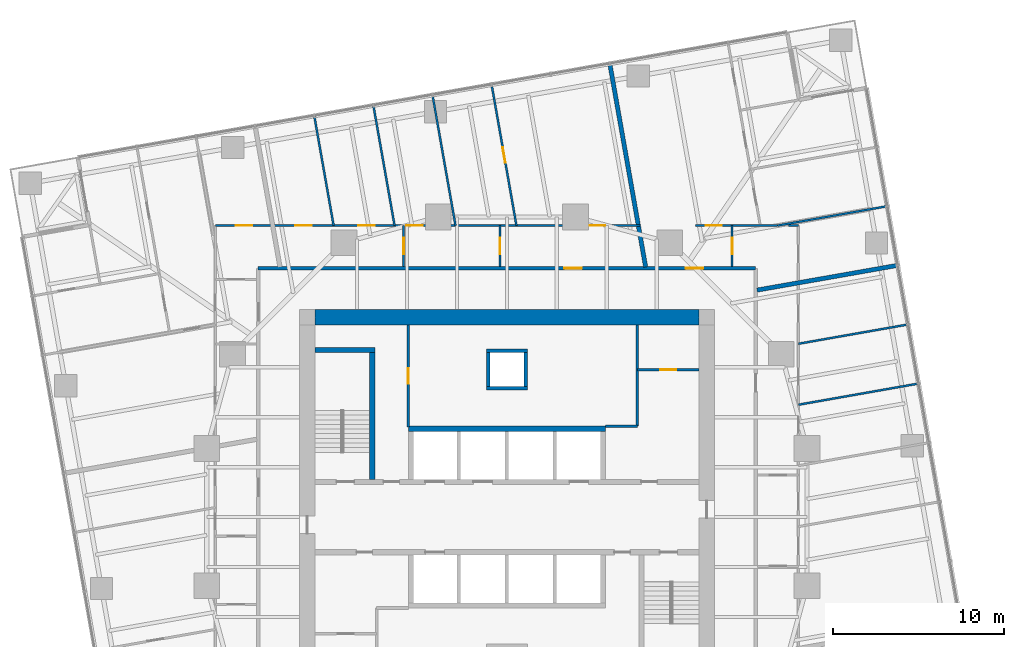
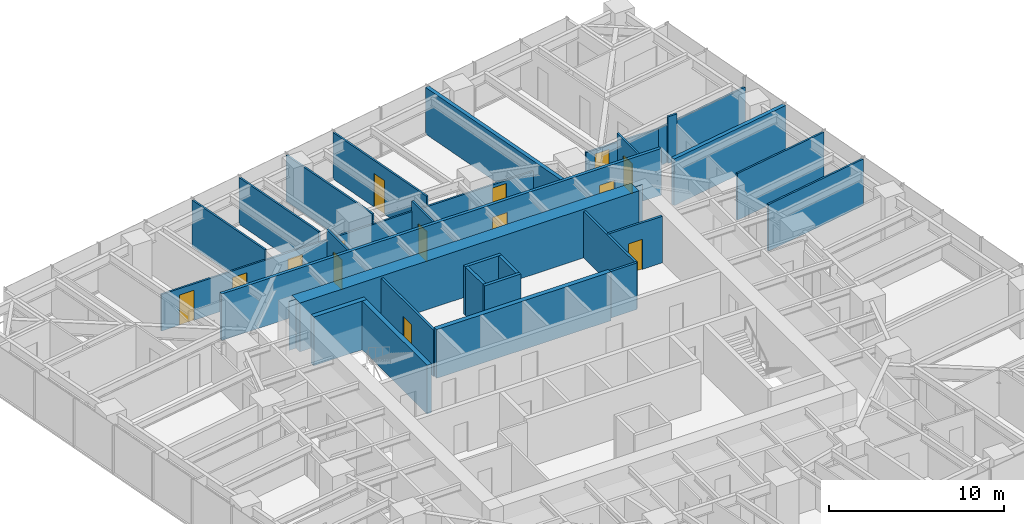
# One storey, part 12 of 14: 28 walls, 14 doors, 14 openings.
"""IFC4 building model written with IfcOpenShell, lengths in metres."""

from ifc_helpers import new_model, si_unit, direction, frame, frame_2d, origin, place, context, subcontext, project, spatial, polyline, rectangle, outline, extrude, material, layer, layer_set, type_object, element, fill, save


model = new_model("IFC4")

# Units and contexts
model_context = context("Model", 3, precision=1e-05, world=origin(), true_north=direction((0.0, 1.0)))
body_context = subcontext(model_context, "Body", "Model", "MODEL_VIEW")
ifc_project = project(units=[si_unit("LENGTHUNIT", "METRE"), si_unit("AREAUNIT", "SQUARE_METRE"), si_unit("VOLUMEUNIT", "CUBIC_METRE"), si_unit("PLANEANGLEUNIT", "RADIAN"), si_unit("MASSUNIT", "GRAM", prefix="KILO")], contexts=[model_context])

# Site, building, storey
site_placement = place(None, origin())
site = spatial("IfcSite", under=ifc_project, at=site_placement, CompositionType="ELEMENT")
building_placement = place(site_placement, origin())
building = spatial("IfcBuilding", under=site, at=building_placement, Name="Torsade Residences", CompositionType="ELEMENT")
storey_placement = place(building_placement, frame((0.0, 0.0, 86.199951171875)))
storey = spatial("IfcBuildingStorey", under=building, at=storey_placement, Name="L23", CompositionType="ELEMENT", Elevation=86.199951171875)

# Walls
ifc_material_1 = material(Name="Concrete 80 MPa", Category="concrete")
ifc_layer_1 = layer(ifc_material_1, 0.300048828125)
ifc_layer_set_1 = layer_set([ifc_layer_1], Name="Concrete 80 MPa")
wall_type_1 = type_object("IfcWallType", Name="CORE INTERNAL WALL 300", PredefinedType="SHEAR", material=ifc_layer_set_1)
wall_1_placement = place(storey_placement, frame((34.25, 35.14990234375, 0.0), z_axis=(0.0, 0.0, 1.0), x_axis=(1.0, 0.0, 0.0)))
element("IfcWall", 1, at=wall_1_placement, inside=storey, type_object=wall_type_1, Name="Core wall BN L23", PredefinedType="SHEAR", context=body_context, shape_type="SweptSolid", body=[
    extrude(rectangle(XDim=11.5, YDim=0.300048828125, at=frame_2d((5.75, 0.0))), origin(), (0.0, 0.0, 1.0), 3.400146484375),
])
wall_2_placement = place(storey_placement, frame((32.14990234375, 32.199951171875, 0.0), z_axis=(0.0, 0.0, 1.0), x_axis=(0.0, 1.0, 0.0)))
element("IfcWall", 2, at=wall_2_placement, inside=storey, type_object=wall_type_1, Name="Core wall ST1E L23", PredefinedType="SHEAR", context=body_context, shape_type="SweptSolid", body=[
    extrude(rectangle(XDim=7.699951171875, YDim=0.300048828125, at=frame_2d((3.85009765625, 0.0))), origin(), (0.0, 0.0, 1.0), 3.400146484375),
])
wall_3_placement = place(storey_placement, frame((28.800048828125, 39.75, 0.0), z_axis=(0.0, 0.0, 1.0), x_axis=(1.0, 0.0, 0.0)))
element("IfcWall", 3, at=wall_3_placement, inside=storey, type_object=wall_type_1, Name="Core wall ST1N L23", PredefinedType="SHEAR", context=body_context, shape_type="SweptSolid", body=[
    extrude(rectangle(XDim=3.5, YDim=0.300048828125, at=frame_2d((1.75, 0.0))), origin(), (0.0, 0.0, 1.0), 3.400146484375),
])
ifc_material_2 = material(Name="Concrete 80 MPa", Category="concrete")
ifc_layer_2 = layer(ifc_material_2, 0.89990234375)
ifc_layer_set_2 = layer_set([ifc_layer_2], Name="Concrete 80 MPa")
wall_type_2 = type_object("IfcWallType", Name="CORE WALL 900", PredefinedType="SHEAR", material=ifc_layer_set_2)
wall_4_placement = place(storey_placement, frame((28.800048828125, 41.64990234375, 0.0), z_axis=(0.0, 0.0, 1.0), x_axis=(1.0, 0.0, 0.0)))
element("IfcWall", 4, at=wall_4_placement, inside=storey, type_object=wall_type_2, Name="Core wall N L23", PredefinedType="SHEAR", context=body_context, shape_type="SweptSolid", body=[
    extrude(outline(polyline([(0.0, -0.449951171875), (22.39990234375, -0.449951171875), (22.39990234375, -0.02490234375), (22.849853515625, -0.02490234375), (22.849853515625, 0.02490234375), (22.39990234375, 0.02490234375), (22.39990234375, 0.449951171875), (0.0, 0.449951171875), (0.0, 0.02490234375), (-0.449951171875, 0.02490234375), (-0.449951171875, -0.02490234375), (0.0, -0.02490234375), (0.0, -0.449951171875)])), origin(), (0.0, 0.0, 1.0), 3.400146484375),
])

# Wall, openings, doors
ifc_material_3 = material(Name="Plasterboard on steel stud", Category="steel")
ifc_layer_3 = layer(ifc_material_3, 0.199951171875)
ifc_layer_set_3 = layer_set([ifc_layer_3], Name="Plasterboard on steel stud")
wall_type_3 = type_object("IfcWallType", Name="CORRIDOR WALL 200", PredefinedType="PARTITIONING", material=ifc_layer_set_3)
wall_5_placement = place(storey_placement, frame((54.5, 44.5, 0.0), z_axis=(0.0, 0.0, 1.0), x_axis=(-1.0, 0.0, 0.0)))
wall_5 = element("IfcWall", 5, at=wall_5_placement, inside=storey, type_object=wall_type_3, Name="Corridor wall L23", PredefinedType="PARTITIONING", context=body_context, shape_type="SweptSolid", body=[
    extrude(rectangle(XDim=29.0, YDim=0.199951171875, at=frame_2d((14.5, 0.0))), origin(), (0.0, 0.0, 1.0), 3.25),
])
opening_1_placement = place(wall_5_placement, frame((10.128662109375, 0.0, 0.0)))
opening_1 = element("IfcOpeningElement", 6, at=opening_1_placement, cuts=wall_5, Name="Opening D01", PredefinedType="OPENING", context=body_context, shape_type="SweptSolid", body=[
    extrude(rectangle(XDim=1.02001953125, YDim=2.340087890625, at=frame_2d((0.510009765625, 1.169921875))), frame((0.0, 0.10986328125, 0.0), z_axis=(0.0, -1.0, 0.0), x_axis=(1.0, 0.0, 0.0)), (0.0, 0.0, 1.0), 0.219970703125),
])
opening_2_placement = place(wall_5_placement, frame((3.0654296875, 0.0, 0.0)))
opening_2 = element("IfcOpeningElement", 7, at=opening_2_placement, cuts=wall_5, Name="Opening D01L", PredefinedType="OPENING", context=body_context, shape_type="SweptSolid", body=[
    extrude(rectangle(XDim=1.02001953125, YDim=2.10009765625, at=frame_2d((0.510009765625, 1.050048828125))), frame((0.0, 0.10986328125, 0.0), z_axis=(0.0, -1.0, 0.0), x_axis=(1.0, 0.0, 0.0)), (0.0, 0.0, 1.0), 0.219970703125),
])
ifc_material_4 = material(Name="Solid-core timber fire door", Category="wood")
door_type_1 = type_object("IfcDoorType", Name="APARTMENT ENTRY DOOR 1020x2100", OperationType="NOTDEFINED", PredefinedType="DOOR", material=ifc_material_4)
door_1_placement = place(opening_2_placement, origin())
door_1 = element("IfcDoor", 8, at=door_1_placement, inside=storey, type_object=door_type_1, Name="Door Residential corridor to Kitchen and dining", OperationType="SINGLE_SWING_LEFT", OverallHeight=2.10009765625, OverallWidth=1.02001953125, PredefinedType="DOOR", context=body_context, shape_type="SweptSolid", body=[
    extrude(rectangle(XDim=1.02001953125, YDim=2.10009765625, at=frame_2d((0.510009765625, 1.050048828125))), frame((0.0, 0.02490234375, 0.0), z_axis=(0.0, -1.0, 0.0), x_axis=(1.0, 0.0, 0.0)), (0.0, 0.0, 1.0), 0.050048828125),
])
fill(opening_2, door_1)
ifc_material_5 = material(Name="Solid-core timber fire door", Category="wood")
door_type_2 = type_object("IfcDoorType", Name="APARTMENT ENTRY DOOR 1020x2340", OperationType="NOTDEFINED", PredefinedType="DOOR", material=ifc_material_5)
door_2_placement = place(opening_1_placement, origin())
door_2 = element("IfcDoor", 9, at=door_2_placement, inside=storey, type_object=door_type_2, Name="Door Residential corridor to Kitchen and dining", OperationType="SINGLE_SWING_RIGHT", OverallHeight=2.340087890625, OverallWidth=1.02001953125, PredefinedType="DOOR", context=body_context, shape_type="SweptSolid", body=[
    extrude(rectangle(XDim=1.02001953125, YDim=2.340087890625, at=frame_2d((0.510009765625, 1.169921875))), frame((0.0, 0.02490234375, 0.0), z_axis=(0.0, -1.0, 0.0), x_axis=(1.0, 0.0, 0.0)), (0.0, 0.0, 1.0), 0.050048828125),
])
fill(opening_1, door_2)

# Walls
ifc_material_6 = material(Name="Plasterboard on steel stud", Category="steel")
ifc_layer_4 = layer(ifc_material_6, 0.1201171875)
ifc_layer_set_4 = layer_set([ifc_layer_4], Name="Plasterboard on steel stud")
wall_type_4 = type_object("IfcWallType", Name="PARTITION 120", PredefinedType="PARTITIONING", material=ifc_layer_set_4)
wall_6_placement = place(storey_placement, frame((57.0, 36.551513671875, 0.0), z_axis=(0.0, 0.0, 1.0), x_axis=(0.984809234282, 0.173639776761, 0.0)))
element("IfcWall", 10, at=wall_6_placement, inside=storey, type_object=wall_type_4, Name="Partition L23", PredefinedType="PARTITIONING", context=body_context, shape_type="SweptSolid", body=[
    extrude(rectangle(XDim=7.080810546875, YDim=0.1201171875, at=frame_2d((3.54052734375, 0.0))), origin(), (0.0, 0.0, 1.0), 3.25),
])
wall_7_placement = place(storey_placement, frame((57.0, 40.10546875, 0.0), z_axis=(0.0, 0.0, 1.0), x_axis=(0.984809025774, 0.173640959323, 0.0)))
element("IfcWall", 11, at=wall_7_placement, inside=storey, type_object=wall_type_4, Name="Partition L23", PredefinedType="PARTITIONING", context=body_context, shape_type="SweptSolid", body=[
    extrude(rectangle(XDim=6.46337890625, YDim=0.1201171875, at=frame_2d((3.231689453125, 0.0))), origin(), (0.0, 0.0, 1.0), 3.25),
])

# Wall, opening, door
wall_8_placement = place(storey_placement, frame((53.13037109375, 47.0, 0.0), z_axis=(0.0, 0.0, 1.0), x_axis=(0.0, -1.0, 0.0)))
wall_8 = element("IfcWall", 12, at=wall_8_placement, inside=storey, type_object=wall_type_4, Name="Partition L23", PredefinedType="PARTITIONING", context=body_context, shape_type="SweptSolid", body=[
    extrude(rectangle(XDim=2.39990234375, YDim=0.1201171875, at=frame_2d((1.199951171875, 0.0))), origin(), (0.0, 0.0, 1.0), 3.25),
])
opening_3_placement = place(wall_8_placement, frame((0.719970703125, 0.0, 0.0)))
opening_3 = element("IfcOpeningElement", 13, at=opening_3_placement, cuts=wall_8, Name="Opening D05", PredefinedType="OPENING", context=body_context, shape_type="SweptSolid", body=[
    extrude(rectangle(XDim=0.9599609375, YDim=2.10009765625, at=frame_2d((0.47998046875, 1.050048828125))), frame((0.0, 0.070068359375, 0.0), z_axis=(0.0, -1.0, 0.0), x_axis=(1.0, 0.0, 0.0)), (0.0, 0.0, 1.0), 0.14013671875),
])
ifc_material_7 = material(Name="Hollow-core timber door in a steel cavity frame", Category="steel")
door_type_3 = type_object("IfcDoorType", Name="BATHROOM CAVITY SLIDING DOOR 960", OperationType="SLIDING_TO_LEFT", PredefinedType="DOOR", material=ifc_material_7)
door_3_placement = place(opening_3_placement, origin())
door_3 = element("IfcDoor", 14, at=door_3_placement, inside=storey, type_object=door_type_3, Name="Door Kitchen and dining to Bathroom", OperationType="SLIDING_TO_LEFT", OverallHeight=2.10009765625, OverallWidth=0.9599609375, PredefinedType="DOOR", context=body_context, shape_type="SweptSolid", body=[
    extrude(rectangle(XDim=0.9599609375, YDim=2.10009765625, at=frame_2d((0.47998046875, 1.050048828125))), frame((0.0, 0.02490234375, 0.0), z_axis=(0.0, -1.0, 0.0), x_axis=(1.0, 0.0, 0.0)), (0.0, 0.0, 1.0), 0.050048828125),
])
fill(opening_3, door_3)

# Wall, openings, doors
wall_9_placement = place(storey_placement, frame((23.0, 47.0, 0.0), z_axis=(0.0, 0.0, 1.0), x_axis=(1.0, 0.0, 0.0)))
wall_9 = element("IfcWall", 15, at=wall_9_placement, inside=storey, type_object=wall_type_4, Name="Partition L23", PredefinedType="PARTITIONING", context=body_context, shape_type="SweptSolid", body=[
    extrude(rectangle(XDim=24.771240234375, YDim=0.1201171875, at=frame_2d((12.3857421875, 0.0))), origin(), (0.0, 0.0, 1.0), 2.550048828125),
])
opening_4_placement = place(wall_9_placement, frame((21.824951171875, 0.0, 0.0)))
opening_4 = element("IfcOpeningElement", 16, at=opening_4_placement, cuts=wall_9, Name="Opening D02", PredefinedType="OPENING", context=body_context, shape_type="SweptSolid", body=[
    extrude(rectangle(XDim=0.919921875, YDim=2.340087890625, at=frame_2d((0.4599609375, 1.169921875))), frame((0.0, 0.070068359375, 0.0), z_axis=(0.0, -1.0, 0.0), x_axis=(1.0, 0.0, 0.0)), (0.0, 0.0, 1.0), 0.14013671875),
])
opening_5_placement = place(wall_9_placement, frame((11.135009765625, 0.0, 0.0)))
opening_5 = element("IfcOpeningElement", 17, at=opening_5_placement, cuts=wall_9, Name="Opening D05", PredefinedType="OPENING", context=body_context, shape_type="SweptSolid", body=[
    extrude(rectangle(XDim=0.9599609375, YDim=2.10009765625, at=frame_2d((0.47998046875, 1.050048828125))), frame((0.0, 0.070068359375, 0.0), z_axis=(0.0, -1.0, 0.0), x_axis=(1.0, 0.0, 0.0)), (0.0, 0.0, 1.0), 0.14013671875),
])
opening_6_placement = place(wall_9_placement, frame((1.190185546875, 0.0, 0.0)))
opening_6 = element("IfcOpeningElement", 18, at=opening_6_placement, cuts=wall_9, Name="Opening D05", PredefinedType="OPENING", context=body_context, shape_type="SweptSolid", body=[
    extrude(rectangle(XDim=0.9599609375, YDim=2.10009765625, at=frame_2d((0.47998046875, 1.050048828125))), frame((0.0, 0.070068359375, 0.0), z_axis=(0.0, -1.0, 0.0), x_axis=(1.0, 0.0, 0.0)), (0.0, 0.0, 1.0), 0.14013671875),
])
opening_7_placement = place(wall_9_placement, frame((8.341552734375, 0.0, 0.0)))
opening_7 = element("IfcOpeningElement", 19, at=opening_7_placement, cuts=wall_9, Name="Opening D05", PredefinedType="OPENING", context=body_context, shape_type="SweptSolid", body=[
    extrude(rectangle(XDim=0.9599609375, YDim=2.10009765625, at=frame_2d((0.47998046875, 1.050048828125))), frame((0.0, 0.070068359375, 0.0), z_axis=(0.0, -1.0, 0.0), x_axis=(1.0, 0.0, 0.0)), (0.0, 0.0, 1.0), 0.14013671875),
])
opening_8_placement = place(wall_9_placement, frame((4.662841796875, 0.0, 0.0)))
opening_8 = element("IfcOpeningElement", 20, at=opening_8_placement, cuts=wall_9, Name="Opening D05", PredefinedType="OPENING", context=body_context, shape_type="SweptSolid", body=[
    extrude(rectangle(XDim=0.9599609375, YDim=2.10009765625, at=frame_2d((0.47998046875, 1.050048828125))), frame((0.0, 0.070068359375, 0.0), z_axis=(0.0, -1.0, 0.0), x_axis=(1.0, 0.0, 0.0)), (0.0, 0.0, 1.0), 0.14013671875),
])
door_4_placement = place(opening_5_placement, origin())
door_4 = element("IfcDoor", 21, at=door_4_placement, inside=storey, type_object=door_type_3, Name="Door Ensuite to Bedroom 2", OperationType="SLIDING_TO_LEFT", OverallHeight=2.10009765625, OverallWidth=0.9599609375, PredefinedType="DOOR", context=body_context, shape_type="SweptSolid", body=[
    extrude(rectangle(XDim=0.9599609375, YDim=2.10009765625, at=frame_2d((0.47998046875, 1.050048828125))), frame((0.0, 0.02490234375, 0.0), z_axis=(0.0, -1.0, 0.0), x_axis=(1.0, 0.0, 0.0)), (0.0, 0.0, 1.0), 0.050048828125),
])
fill(opening_5, door_4)
door_5_placement = place(opening_6_placement, origin())
door_5 = element("IfcDoor", 22, at=door_5_placement, inside=storey, type_object=door_type_3, Name="Door WC to Family room", OperationType="SLIDING_TO_LEFT", OverallHeight=2.10009765625, OverallWidth=0.9599609375, PredefinedType="DOOR", context=body_context, shape_type="SweptSolid", body=[
    extrude(rectangle(XDim=0.9599609375, YDim=2.10009765625, at=frame_2d((0.47998046875, 1.050048828125))), frame((0.0, 0.02490234375, 0.0), z_axis=(0.0, -1.0, 0.0), x_axis=(1.0, 0.0, 0.0)), (0.0, 0.0, 1.0), 0.050048828125),
])
fill(opening_6, door_5)
door_6_placement = place(opening_7_placement, origin())
door_6 = element("IfcDoor", 23, at=door_6_placement, inside=storey, type_object=door_type_3, Name="Door Bathroom to Study", OperationType="SLIDING_TO_LEFT", OverallHeight=2.10009765625, OverallWidth=0.9599609375, PredefinedType="DOOR", context=body_context, shape_type="SweptSolid", body=[
    extrude(rectangle(XDim=0.9599609375, YDim=2.10009765625, at=frame_2d((0.47998046875, 1.050048828125))), frame((0.0, 0.02490234375, 0.0), z_axis=(0.0, -1.0, 0.0), x_axis=(1.0, 0.0, 0.0)), (0.0, 0.0, 1.0), 0.050048828125),
])
fill(opening_7, door_6)
door_7_placement = place(opening_8_placement, origin())
door_7 = element("IfcDoor", 24, at=door_7_placement, inside=storey, type_object=door_type_3, Name="Door Bathroom to Family room", OperationType="SLIDING_TO_LEFT", OverallHeight=2.10009765625, OverallWidth=0.9599609375, PredefinedType="DOOR", context=body_context, shape_type="SweptSolid", body=[
    extrude(rectangle(XDim=0.9599609375, YDim=2.10009765625, at=frame_2d((0.47998046875, 1.050048828125))), frame((0.0, 0.02490234375, 0.0), z_axis=(0.0, -1.0, 0.0), x_axis=(1.0, 0.0, 0.0)), (0.0, 0.0, 1.0), 0.050048828125),
])
fill(opening_8, door_7)
ifc_material_8 = material(Name="Hollow-core timber door", Category="wood")
door_type_4 = type_object("IfcDoorType", Name="INTERNAL DOOR 920x2340", OperationType="NOTDEFINED", PredefinedType="DOOR", material=ifc_material_8)
door_8_placement = place(opening_4_placement, origin())
door_8 = element("IfcDoor", 25, at=door_8_placement, inside=storey, type_object=door_type_4, Name="Door Kitchen and dining to Living room", OperationType="SINGLE_SWING_LEFT", OverallHeight=2.340087890625, OverallWidth=0.919921875, PredefinedType="DOOR", context=body_context, shape_type="SweptSolid", body=[
    extrude(rectangle(XDim=0.919921875, YDim=2.340087890625, at=frame_2d((0.4599609375, 1.169921875))), frame((0.0, 0.02490234375, 0.0), z_axis=(0.0, -1.0, 0.0), x_axis=(1.0, 0.0, 0.0)), (0.0, 0.0, 1.0), 0.050048828125),
])
fill(opening_4, door_8)

# Wall, opening, door
wall_10_placement = place(storey_placement, frame((51.0, 47.0, 0.0), z_axis=(0.0, 0.0, 1.0), x_axis=(1.0, 0.0, 0.0)))
wall_10 = element("IfcWall", 26, at=wall_10_placement, inside=storey, type_object=wall_type_4, Name="Partition L23", PredefinedType="PARTITIONING", context=body_context, shape_type="SweptSolid", body=[
    extrude(rectangle(XDim=4.7890625, YDim=0.1201171875, at=frame_2d((2.39453125, 0.0))), origin(), (0.0, 0.0, 1.0), 2.637939453125),
])
opening_9_placement = place(wall_10_placement, frame((0.605224609375, 0.0, 0.0)))
opening_9 = element("IfcOpeningElement", 27, at=opening_9_placement, cuts=wall_10, Name="Opening D02", PredefinedType="OPENING", context=body_context, shape_type="SweptSolid", body=[
    extrude(rectangle(XDim=0.919921875, YDim=2.340087890625, at=frame_2d((0.4599609375, 1.169921875))), frame((0.0, 0.070068359375, 0.0), z_axis=(0.0, -1.0, 0.0), x_axis=(1.0, 0.0, 0.0)), (0.0, 0.0, 1.0), 0.14013671875),
])
door_9_placement = place(opening_9_placement, origin())
door_9 = element("IfcDoor", 28, at=door_9_placement, inside=storey, type_object=door_type_4, Name="Door Kitchen and dining to Living room", OperationType="SINGLE_SWING_RIGHT", OverallHeight=2.340087890625, OverallWidth=0.919921875, PredefinedType="DOOR", context=body_context, shape_type="SweptSolid", body=[
    extrude(rectangle(XDim=0.919921875, YDim=2.340087890625, at=frame_2d((0.4599609375, 1.169921875))), frame((0.0, 0.02490234375, 0.0), z_axis=(0.0, -1.0, 0.0), x_axis=(1.0, 0.0, 0.0)), (0.0, 0.0, 1.0), 0.050048828125),
])
fill(opening_9, door_9)

# Wall
wall_11_placement = place(storey_placement, frame((62.149658203125, 48.12158203125, 0.0), z_axis=(0.0, 0.0, 1.0), x_axis=(-0.984806762864, -0.173653792983, 0.0)))
element("IfcWall", 29, at=wall_11_placement, inside=storey, type_object=wall_type_4, Name="Partition L23", PredefinedType="PARTITIONING", context=body_context, shape_type="SweptSolid", body=[
    extrude(rectangle(XDim=6.458740234375, YDim=0.1201171875, at=frame_2d((3.2294921875, 0.0))), origin(), (0.0, 0.0, 1.0), 2.637939453125),
])

# Wall, opening, door
wall_12_placement = place(storey_placement, frame((39.595703125, 44.60009765625, 0.0), z_axis=(0.0, 0.0, 1.0), x_axis=(0.0, 1.0, 0.0)))
wall_12 = element("IfcWall", 30, at=wall_12_placement, inside=storey, type_object=wall_type_4, Name="Partition L23", PredefinedType="PARTITIONING", context=body_context, shape_type="SweptSolid", body=[
    extrude(rectangle(XDim=2.39990234375, YDim=0.1201171875, at=frame_2d((1.199951171875, 0.0))), origin(), (0.0, 0.0, 1.0), 3.25),
])
opening_10_placement = place(wall_12_placement, frame((0.719970703125, 0.0, 0.0)))
opening_10 = element("IfcOpeningElement", 31, at=opening_10_placement, cuts=wall_12, Name="Opening D05", PredefinedType="OPENING", context=body_context, shape_type="SweptSolid", body=[
    extrude(rectangle(XDim=0.9599609375, YDim=2.10009765625, at=frame_2d((0.47998046875, 1.050048828125))), frame((0.0, 0.070068359375, 0.0), z_axis=(0.0, -1.0, 0.0), x_axis=(1.0, 0.0, 0.0)), (0.0, 0.0, 1.0), 0.14013671875),
])
door_10_placement = place(opening_10_placement, origin())
door_10 = element("IfcDoor", 32, at=door_10_placement, inside=storey, type_object=door_type_3, Name="Door Kitchen and dining to Ensuite", OperationType="SLIDING_TO_LEFT", OverallHeight=2.10009765625, OverallWidth=0.9599609375, PredefinedType="DOOR", context=body_context, shape_type="SweptSolid", body=[
    extrude(rectangle(XDim=0.9599609375, YDim=2.10009765625, at=frame_2d((0.47998046875, 1.050048828125))), frame((0.0, 0.02490234375, 0.0), z_axis=(0.0, -1.0, 0.0), x_axis=(1.0, 0.0, 0.0)), (0.0, 0.0, 1.0), 0.050048828125),
])
fill(opening_10, door_10)

wall_13_placement = place(storey_placement, frame((33.976806640625, 47.0, 0.0), z_axis=(0.0, 0.0, 1.0), x_axis=(0.0, -1.0, 0.0)))
wall_13 = element("IfcWall", 33, at=wall_13_placement, inside=storey, type_object=wall_type_4, Name="Partition L23", PredefinedType="PARTITIONING", context=body_context, shape_type="SweptSolid", body=[
    extrude(rectangle(XDim=2.39990234375, YDim=0.1201171875, at=frame_2d((1.199951171875, 0.0))), origin(), (0.0, 0.0, 1.0), 3.25),
])
opening_11_placement = place(wall_13_placement, frame((0.719970703125, 0.0, 0.0)))
opening_11 = element("IfcOpeningElement", 34, at=opening_11_placement, cuts=wall_13, Name="Opening D05", PredefinedType="OPENING", context=body_context, shape_type="SweptSolid", body=[
    extrude(rectangle(XDim=0.9599609375, YDim=2.10009765625, at=frame_2d((0.47998046875, 1.050048828125))), frame((0.0, 0.070068359375, 0.0), z_axis=(0.0, -1.0, 0.0), x_axis=(1.0, 0.0, 0.0)), (0.0, 0.0, 1.0), 0.14013671875),
])
door_11_placement = place(opening_11_placement, origin())
door_11 = element("IfcDoor", 35, at=door_11_placement, inside=storey, type_object=door_type_3, Name="Door Ensuite to Bathroom", OperationType="SLIDING_TO_LEFT", OverallHeight=2.10009765625, OverallWidth=0.9599609375, PredefinedType="DOOR", context=body_context, shape_type="SweptSolid", body=[
    extrude(rectangle(XDim=0.9599609375, YDim=2.10009765625, at=frame_2d((0.47998046875, 1.050048828125))), frame((0.0, 0.02490234375, 0.0), z_axis=(0.0, -1.0, 0.0), x_axis=(1.0, 0.0, 0.0)), (0.0, 0.0, 1.0), 0.050048828125),
])
fill(opening_11, door_11)

wall_14_placement = place(storey_placement, frame((40.556396484375, 47.0, 0.0), z_axis=(0.0, 0.0, 1.0), x_axis=(-0.173647980238, 0.984807787824, 0.0)))
wall_14 = element("IfcWall", 36, at=wall_14_placement, inside=storey, type_object=wall_type_4, Name="Partition L23", PredefinedType="PARTITIONING", context=body_context, shape_type="SweptSolid", body=[
    extrude(rectangle(XDim=8.314697265625, YDim=0.1201171875, at=frame_2d((4.1572265625, 0.0))), origin(), (0.0, 0.0, 1.0), 3.25),
])
opening_12_placement = place(wall_14_placement, frame((3.717529296875, 0.0, 0.0)))
opening_12 = element("IfcOpeningElement", 37, at=opening_12_placement, cuts=wall_14, Name="Opening D02", PredefinedType="OPENING", context=body_context, shape_type="SweptSolid", body=[
    extrude(rectangle(XDim=0.919921875, YDim=2.340087890625, at=frame_2d((0.4599609375, 1.169921875))), frame((0.0, 0.070068359375, 0.0), z_axis=(0.0, -1.0, 0.0), x_axis=(1.0, 0.0, 0.0)), (0.0, 0.0, 1.0), 0.14013671875),
])
door_12_placement = place(opening_12_placement, origin())
door_12 = element("IfcDoor", 38, at=door_12_placement, inside=storey, type_object=door_type_4, Name="Door Living room to Bedroom 1", OperationType="SINGLE_SWING_RIGHT", OverallHeight=2.340087890625, OverallWidth=0.919921875, PredefinedType="DOOR", context=body_context, shape_type="SweptSolid", body=[
    extrude(rectangle(XDim=0.919921875, YDim=2.340087890625, at=frame_2d((0.4599609375, 1.169921875))), frame((0.0, 0.02490234375, 0.0), z_axis=(0.0, -1.0, 0.0), x_axis=(1.0, 0.0, 0.0)), (0.0, 0.0, 1.0), 0.050048828125),
])
fill(opening_12, door_12)

# Walls
wall_15_placement = place(storey_placement, frame((37.00244140625, 47.0, 0.0), z_axis=(0.0, 0.0, 1.0), x_axis=(-0.173644207293, 0.984808453088, 0.0)))
element("IfcWall", 39, at=wall_15_placement, inside=storey, type_object=wall_type_4, Name="Partition L23", PredefinedType="PARTITIONING", context=body_context, shape_type="SweptSolid", body=[
    extrude(rectangle(XDim=7.69775390625, YDim=0.1201171875, at=frame_2d((3.848876953125, 0.0))), origin(), (0.0, 0.0, 1.0), 3.25),
])
wall_16_placement = place(storey_placement, frame((33.448486328125, 47.0, 0.0), z_axis=(0.0, 0.0, 1.0), x_axis=(-0.173639776761, 0.984809234282, 0.0)))
element("IfcWall", 40, at=wall_16_placement, inside=storey, type_object=wall_type_4, Name="Partition L23", PredefinedType="PARTITIONING", context=body_context, shape_type="SweptSolid", body=[
    extrude(rectangle(XDim=7.080810546875, YDim=0.1201171875, at=frame_2d((3.54052734375, 0.0))), origin(), (0.0, 0.0, 1.0), 3.25),
])
wall_17_placement = place(storey_placement, frame((29.89453125, 47.0, 0.0), z_axis=(0.0, 0.0, 1.0), x_axis=(-0.173640959323, 0.984809025774, 0.0)))
element("IfcWall", 41, at=wall_17_placement, inside=storey, type_object=wall_type_4, Name="Partition L23", PredefinedType="PARTITIONING", context=body_context, shape_type="SweptSolid", body=[
    extrude(rectangle(XDim=6.46337890625, YDim=0.1201171875, at=frame_2d((3.231689453125, 0.0))), origin(), (0.0, 0.0, 1.0), 3.25),
])
wall_18_placement = place(storey_placement, frame((57.0, 47.0, 0.0), z_axis=(0.0, 0.0, 1.0), x_axis=(-1.0, 0.0, 0.0)))
element("IfcWall", 42, at=wall_18_placement, inside=storey, type_object=wall_type_4, Name="Partition L23", PredefinedType="PARTITIONING", context=body_context, shape_type="SweptSolid", body=[
    extrude(rectangle(XDim=0.57763671875, YDim=0.1201171875, at=frame_2d((0.288818359375, 0.0))), origin(), (0.0, 0.0, 1.0), 3.25),
])
ifc_material_9 = material(Name="Masonry-lined stud party wall", Category="masonry")
ifc_layer_5 = layer(ifc_material_9, 0.25)
ifc_layer_set_5 = layer_set([ifc_layer_5], Name="Masonry-lined stud party wall")
wall_type_5 = type_object("IfcWallType", Name="PARTY WALL 250", PredefinedType="PARTITIONING", material=ifc_layer_set_5)
wall_19_placement = place(storey_placement, frame((62.796875, 44.681640625, 0.0), z_axis=(0.0, 0.0, 1.0), x_axis=(-0.984807121942, -0.173651756605, 0.0)))
element("IfcWall", 43, at=wall_19_placement, inside=storey, type_object=wall_type_5, Name="Party wall L23", PredefinedType="PARTITIONING", context=body_context, shape_type="SweptSolid", body=[
    extrude(rectangle(XDim=8.34130859375, YDim=0.25, at=frame_2d((4.170654296875, 0.0))), origin(), (0.0, 0.0, 1.0), 3.25),
])
wall_20_placement = place(storey_placement, frame((45.999267578125, 56.443603515625, 0.0), z_axis=(0.0, 0.0, 1.0), x_axis=(0.173654664517, -0.984806609184, 0.0)))
element("IfcWall", 44, at=wall_20_placement, inside=storey, type_object=wall_type_5, Name="Party wall L23", PredefinedType="PARTITIONING", context=body_context, shape_type="SweptSolid", body=[
    extrude(rectangle(XDim=12.04443359375, YDim=0.25, at=frame_2d((6.022216796875, 0.0))), origin(), (0.0, 0.0, 1.0), 3.25),
])
ifc_material_10 = material(Name="Reinforced blockwork", Category="masonry")
ifc_layer_6 = layer(ifc_material_10, 0.199951171875)
ifc_layer_set_6 = layer_set([ifc_layer_6], Name="Reinforced blockwork")
wall_type_6 = type_object("IfcWallType", Name="RISER SHAFT WALL 200", PredefinedType="SOLIDWALL", material=ifc_layer_set_6)
for number, where, z_axis, x_axis, name in (
    (45, (38.89990234375, 37.60009765625, 0.0), (0.0, 0.0, 1.0), (0.0, 1.0, 0.0), "Core wall RS1a L23"),
    (46, (41.10009765625, 37.60009765625, 0.0), (0.0, 0.0, 1.0), (0.0, 1.0, 0.0), "Core wall RS1b L23"),
):
    element("IfcWall", number, at=place(storey_placement, frame(where, z_axis=z_axis, x_axis=x_axis)), inside=storey, type_object=wall_type_6, Name=name, PredefinedType="SOLIDWALL", context=body_context, shape_type="SweptSolid", body=[
        extrude(rectangle(XDim=2.0, YDim=0.199951171875, at=frame_2d((1.0, 0.0))), origin(), (0.0, 0.0, 1.0), 3.400146484375),
    ])
for number, where, z_axis, x_axis, name in (
    (47, (38.800048828125, 37.5, 0.0), (0.0, 0.0, 1.0), (1.0, 0.0, 0.0), "Core wall RS1c L23"),
    (48, (38.800048828125, 39.699951171875, 0.0), (0.0, 0.0, 1.0), (1.0, 0.0, 0.0), "Core wall RS1d L23"),
):
    element("IfcWall", number, at=place(storey_placement, frame(where, z_axis=z_axis, x_axis=x_axis)), inside=storey, type_object=wall_type_6, Name=name, PredefinedType="SOLIDWALL", context=body_context, shape_type="SweptSolid", body=[
        extrude(rectangle(XDim=2.39990234375, YDim=0.199951171875, at=frame_2d((1.199951171875, 0.0))), origin(), (0.0, 0.0, 1.0), 3.400146484375),
    ])

# Wall, opening, door
ifc_material_11 = material(Name="Reinforced blockwork", Category="masonry")
ifc_layer_7 = layer(ifc_material_11, 0.14990234375)
ifc_layer_set_7 = layer_set([ifc_layer_7], Name="Reinforced blockwork")
wall_type_7 = type_object("IfcWallType", Name="SERVICE ROOM WALL 150", PredefinedType="SOLIDWALL", material=ifc_layer_set_7)
wall_21_placement = place(storey_placement, frame((34.25, 41.199951171875, 0.0), z_axis=(0.0, 0.0, 1.0), x_axis=(0.0, -1.0, 0.0)))
wall_21 = element("IfcWall", 49, at=wall_21_placement, inside=storey, type_object=wall_type_7, Name="Service room wall L23", PredefinedType="SOLIDWALL", context=body_context, shape_type="SweptSolid", body=[
    extrude(rectangle(XDim=5.949951171875, YDim=0.14990234375, at=frame_2d((2.97509765625, 0.0))), origin(), (0.0, 0.0, 1.0), 3.25),
])
opening_13_placement = place(wall_21_placement, frame((2.514892578125, 0.0, 0.0)))
opening_13 = element("IfcOpeningElement", 50, at=opening_13_placement, cuts=wall_21, Name="Opening D06", PredefinedType="OPENING", context=body_context, shape_type="SweptSolid", body=[
    extrude(rectangle(XDim=0.919921875, YDim=2.10009765625, at=frame_2d((0.4599609375, 1.050048828125))), frame((0.0, 0.0849609375, 0.0), z_axis=(0.0, -1.0, 0.0), x_axis=(1.0, 0.0, 0.0)), (0.0, 0.0, 1.0), 0.169921875),
])
ifc_material_12 = material(Name="Steel-framed fire door", Category="steel")
door_type_5 = type_object("IfcDoorType", Name="FIRE DOOR 920", OperationType="NOTDEFINED", PredefinedType="DOOR", material=ifc_material_12)
door_13_placement = place(opening_13_placement, origin())
door_13 = element("IfcDoor", 51, at=door_13_placement, inside=storey, type_object=door_type_5, Name="Door Main switchboard store to Electrical riser room", OperationType="SINGLE_SWING_RIGHT", OverallHeight=2.10009765625, OverallWidth=0.919921875, PredefinedType="DOOR", context=body_context, shape_type="SweptSolid", body=[
    extrude(rectangle(XDim=0.919921875, YDim=2.10009765625, at=frame_2d((0.4599609375, 1.050048828125))), frame((0.0, 0.02490234375, 0.0), z_axis=(0.0, -1.0, 0.0), x_axis=(1.0, 0.0, 0.0)), (0.0, 0.0, 1.0), 0.050048828125),
])
fill(opening_13, door_13)

# Walls
wall_22_placement = place(storey_placement, frame((47.60009765625, 41.199951171875, 0.0), z_axis=(0.0, 0.0, 1.0), x_axis=(0.0, -1.0, 0.0)))
element("IfcWall", 52, at=wall_22_placement, inside=storey, type_object=wall_type_7, Name="Service room wall L23", PredefinedType="SOLIDWALL", context=body_context, shape_type="SweptSolid", body=[
    extrude(rectangle(XDim=5.89990234375, YDim=0.14990234375, at=frame_2d((2.949951171875, 0.0))), origin(), (0.0, 0.0, 1.0), 3.25),
])
wall_23_placement = place(storey_placement, frame((47.60009765625, 35.300048828125, 0.0), z_axis=(0.0, 0.0, 1.0), x_axis=(-1.0, 0.0, 0.0)))
element("IfcWall", 53, at=wall_23_placement, inside=storey, type_object=wall_type_7, Name="Service room wall L23", PredefinedType="SOLIDWALL", context=body_context, shape_type="SweptSolid", body=[
    extrude(rectangle(XDim=1.85009765625, YDim=0.14990234375, at=frame_2d((0.925048828125, 0.0))), origin(), (0.0, 0.0, 1.0), 3.25),
])

# Wall, opening, door
wall_24_placement = place(storey_placement, frame((47.60009765625, 38.60009765625, 0.0), z_axis=(0.0, 0.0, 1.0), x_axis=(1.0, 0.0, 0.0)))
wall_24 = element("IfcWall", 54, at=wall_24_placement, inside=storey, type_object=wall_type_7, Name="Service room wall L23", PredefinedType="SOLIDWALL", context=body_context, shape_type="SweptSolid", body=[
    extrude(rectangle(XDim=3.599853515625, YDim=0.14990234375, at=frame_2d((1.7998046875, 0.0))), origin(), (0.0, 0.0, 1.0), 3.25),
])
opening_14_placement = place(wall_24_placement, frame((1.340087890625, 0.0, 0.0)))
opening_14 = element("IfcOpeningElement", 55, at=opening_14_placement, cuts=wall_24, Name="Opening D06", PredefinedType="OPENING", context=body_context, shape_type="SweptSolid", body=[
    extrude(rectangle(XDim=0.919921875, YDim=2.10009765625, at=frame_2d((0.4599609375, 1.050048828125))), frame((0.0, 0.0849609375, 0.0), z_axis=(0.0, -1.0, 0.0), x_axis=(1.0, 0.0, 0.0)), (0.0, 0.0, 1.0), 0.169921875),
])
door_14_placement = place(opening_14_placement, origin())
door_14 = element("IfcDoor", 56, at=door_14_placement, inside=storey, type_object=door_type_5, Name="Door Refuse room to Bulky waste store", OperationType="SINGLE_SWING_LEFT", OverallHeight=2.10009765625, OverallWidth=0.919921875, PredefinedType="DOOR", context=body_context, shape_type="SweptSolid", body=[
    extrude(rectangle(XDim=0.919921875, YDim=2.10009765625, at=frame_2d((0.4599609375, 1.050048828125))), frame((0.0, 0.02490234375, 0.0), z_axis=(0.0, -1.0, 0.0), x_axis=(1.0, 0.0, 0.0)), (0.0, 0.0, 1.0), 0.050048828125),
])
fill(opening_14, door_14)

save(model, "model.ifc")
